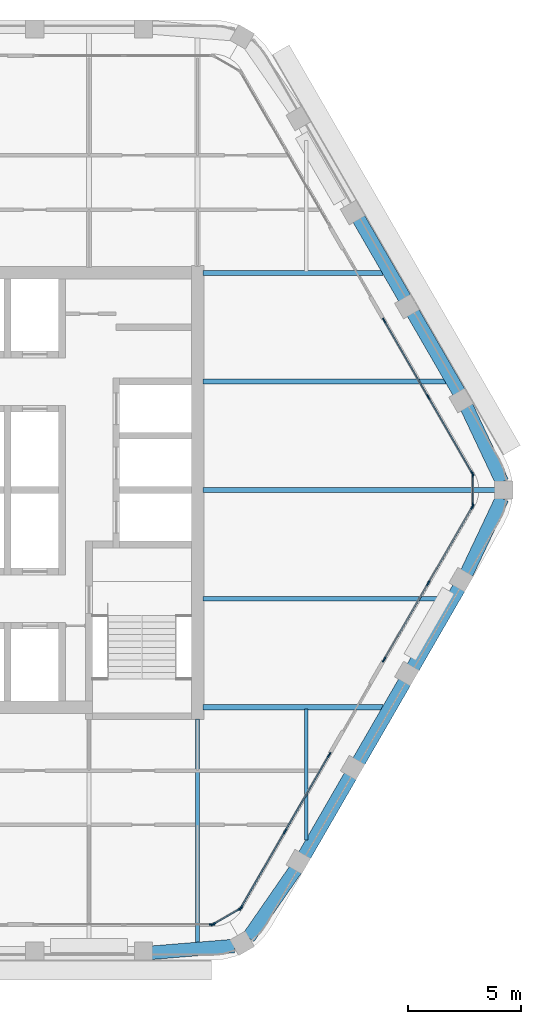
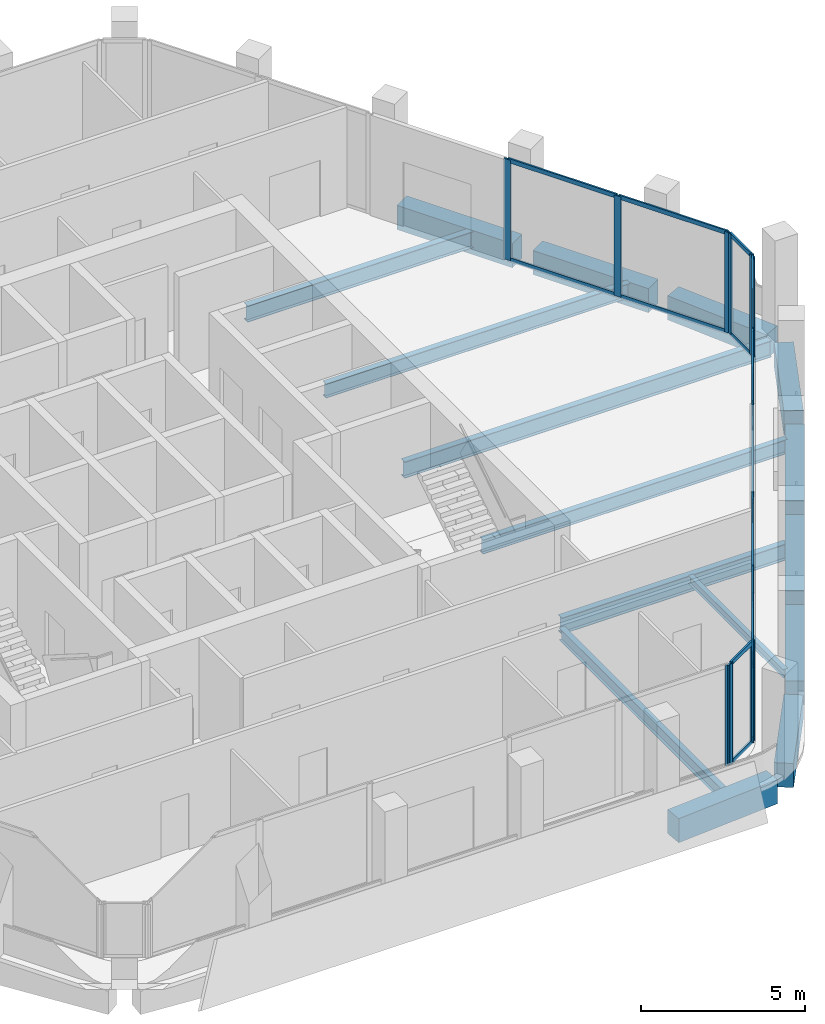
# One storey, part 4 of 14: 30 members, 16 beams, 6 elements without a shape of their own.
"""IFC4 building model written with IfcOpenShell, lengths in metres."""

from ifc_helpers import new_model, si_unit, direction, frame, origin, origin_2d, place, context, subcontext, project, spatial, rectangle, i_section, extrude, material, material_profile, profile_set, type_object, element, aggregate, save


model = new_model("IFC4")

# Units and contexts
model_context = context("Model", 3, precision=1e-05, world=origin(), true_north=direction((0.0, 1.0)))
body_context = subcontext(model_context, "Body", "Model", "MODEL_VIEW")
ifc_project = project(units=[si_unit("LENGTHUNIT", "METRE"), si_unit("AREAUNIT", "SQUARE_METRE"), si_unit("VOLUMEUNIT", "CUBIC_METRE"), si_unit("PLANEANGLEUNIT", "RADIAN"), si_unit("MASSUNIT", "GRAM", prefix="KILO")], contexts=[model_context])

# Site, building, storey
site_placement = place(None, origin())
site = spatial("IfcSite", under=ifc_project, at=site_placement, CompositionType="ELEMENT")
building_placement = place(site_placement, origin())
building = spatial("IfcBuilding", under=site, at=building_placement, Name="Kolab Exchange Tower", CompositionType="ELEMENT")
storey_placement = place(building_placement, frame((0.0, 0.0, 242.300048828125)))
storey = spatial("IfcBuildingStorey", under=building, at=storey_placement, Name="L53", CompositionType="ELEMENT", Elevation=242.300048828125)

# Beams
ifc_material_1 = material(Name="Steel S355", Category="steel")
ifc_material_profile_1 = material_profile(ifc_material_1, i_section(OverallWidth=0.1650390625, OverallDepth=0.31005859375, WebThickness=0.005859375, FlangeThickness=0.009765625, at=origin_2d()), Name="W310X39")
ifc_profile_set_1 = profile_set([ifc_material_profile_1], Name="Steel S355")
beam_type_1 = type_object("IfcBeamType", Name="FLOOR BEAM W310X39", PredefinedType="BEAM", material=ifc_profile_set_1)
beam_1_placement = place(storey_placement, frame((14.39990234375, -15.4677734375, -0.304931640625), z_axis=(0.0, 1.0, 0.0), x_axis=(-1.0, 0.0, 0.0)))
element("IfcBeam", 1, at=beam_1_placement, inside=storey, type_object=beam_type_1, Name="beam/L53/fr/018", PredefinedType="BEAM", context=body_context, shape_type="SweptSolid", body=[
    extrude(i_section(OverallWidth=0.1650390625, OverallDepth=0.31005859375, WebThickness=0.005859375, FlangeThickness=0.009765625, at=origin_2d()), origin(), (0.0, 0.0, 1.0), 5.793701171875),
])
ifc_material_profile_2 = material_profile(ifc_material_1, i_section(OverallWidth=0.18994140625, OverallDepth=0.45703125, WebThickness=0.009033203125, FlangeThickness=0.014404296875, at=origin_2d()), Name="W460X74")
ifc_profile_set_2 = profile_set([ifc_material_profile_2], Name="Steel S355")
beam_type_2 = type_object("IfcBeamType", Name="FLOOR BEAM W460X74", PredefinedType="BEAM", material=ifc_profile_set_2)
beam_2_placement = place(storey_placement, frame((9.60009765625, -20.027099609375, -0.378662109375), z_axis=(0.0, 1.0, 0.0), x_axis=(-1.0, 0.0, 0.0)))
element("IfcBeam", 2, at=beam_2_placement, inside=storey, type_object=beam_type_2, Name="beam/L53/fr/013", PredefinedType="BEAM", context=body_context, shape_type="SweptSolid", body=[
    extrude(i_section(OverallWidth=0.18994140625, OverallDepth=0.45703125, WebThickness=0.009033203125, FlangeThickness=0.014404296875, at=origin_2d()), origin(), (0.0, 0.0, 1.0), 9.9169921875),
])
ifc_material_profile_3 = material_profile(ifc_material_1, i_section(OverallWidth=0.208984375, OverallDepth=0.532958984375, WebThickness=0.01025390625, FlangeThickness=0.015625, at=origin_2d()), Name="W530X92")
ifc_profile_set_3 = profile_set([ifc_material_profile_3], Name="Steel S355")
beam_type_3 = type_object("IfcBeamType", Name="FLOOR BEAM W530X92", PredefinedType="BEAM", material=ifc_profile_set_3)
for number, where, z_axis, x_axis, name in (
    (3, (9.8349609375, -4.800048828125, -0.41650390625), (1.0, 0.0, 0.0), (0.0, 1.0, 0.0), "beam/L53/fr/015"),
    (4, (9.8349609375, 4.800048828125, -0.41650390625), (1.0, 0.0, 0.0), (0.0, 1.0, 0.0), "beam/L53/fr/017"),
):
    element("IfcBeam", number, at=place(storey_placement, frame(where, z_axis=z_axis, x_axis=x_axis)), inside=storey, type_object=beam_type_3, Name=name, PredefinedType="BEAM", context=body_context, shape_type="SweptSolid", body=[
        extrude(i_section(OverallWidth=0.208984375, OverallDepth=0.532958984375, WebThickness=0.01025390625, FlangeThickness=0.015625, at=origin_2d()), origin(), (0.0, 0.0, 1.0), 10.740966796875),
    ])
ifc_material_profile_4 = material_profile(ifc_material_1, i_section(OverallWidth=0.22802734375, OverallDepth=0.60791015625, WebThickness=0.01123046875, FlangeThickness=0.017333984375, at=origin_2d()), Name="W610X113")
ifc_profile_set_4 = profile_set([ifc_material_profile_4], Name="Steel S355")
beam_type_4 = type_object("IfcBeamType", Name="FLOOR BEAM W610X113", PredefinedType="BEAM", material=ifc_profile_set_4)
beam_3_placement = place(storey_placement, frame((9.8349609375, 0.0, -0.4541015625), z_axis=(1.0, 0.0, 0.0), x_axis=(0.0, 1.0, 0.0)))
element("IfcBeam", 5, at=beam_3_placement, inside=storey, type_object=beam_type_4, Name="beam/L53/fr/016", PredefinedType="BEAM", context=body_context, shape_type="SweptSolid", body=[
    extrude(i_section(OverallWidth=0.22802734375, OverallDepth=0.60791015625, WebThickness=0.01123046875, FlangeThickness=0.017333984375, at=origin_2d()), origin(), (0.0, 0.0, 1.0), 12.94091796875),
])
ifc_material_profile_5 = material_profile(ifc_material_1, i_section(OverallWidth=0.22802734375, OverallDepth=0.60791015625, WebThickness=0.01123046875, FlangeThickness=0.017333984375, at=origin_2d()), Name="W610X113")
ifc_profile_set_5 = profile_set([ifc_material_profile_5], Name="Steel S355")
beam_type_5 = type_object("IfcBeamType", Name="FLOOR GIRDER W610X113", PredefinedType="BEAM", material=ifc_profile_set_5)
for number, where, z_axis, x_axis, name in (
    (6, (9.8349609375, -9.60009765625, -0.4541015625), (1.0, 0.0, 0.0), (0.0, 1.0, 0.0), "beam/L53/gd/002"),
    (7, (9.8349609375, 9.60009765625, -0.4541015625), (1.0, 0.0, 0.0), (0.0, 1.0, 0.0), "beam/L53/gd/003"),
):
    element("IfcBeam", number, at=place(storey_placement, frame(where, z_axis=z_axis, x_axis=x_axis)), inside=storey, type_object=beam_type_5, Name=name, PredefinedType="BEAM", context=body_context, shape_type="SweptSolid", body=[
        extrude(i_section(OverallWidth=0.22802734375, OverallDepth=0.60791015625, WebThickness=0.01123046875, FlangeThickness=0.017333984375, at=origin_2d()), origin(), (0.0, 0.0, 1.0), 7.9697265625),
    ])
ifc_material_2 = material(Name="Concrete C50/60", Category="concrete")
ifc_material_profile_6 = material_profile(ifc_material_2, rectangle(XDim=0.60009765625, YDim=0.89990234375, at=origin_2d()), Name="RC600X900")
ifc_profile_set_6 = profile_set([ifc_material_profile_6], Name="Concrete C50/60")
beam_type_6 = type_object("IfcBeamType", Name="SPANDREL BEAM 600X900 C50/60", PredefinedType="BEAM", material=ifc_profile_set_6)
for number, where, z_axis, x_axis, name in (
    (8, (16.72021484375, 12.009033203125, -0.60009765625), (0.500000428765, -0.866025156237, 0.0), (0.866025156237, 0.500000428765, 0.0), "beam/L53/sp/F2-03"),
    (9, (19.1201171875, 7.85205078125, -0.60009765625), (0.500000428765, -0.866025156237, 0.0), (0.866025156237, 0.500000428765, 0.0), "beam/L53/sp/F2-04"),
):
    element("IfcBeam", number, at=place(storey_placement, frame(where, z_axis=z_axis, x_axis=x_axis)), inside=storey, type_object=beam_type_6, Name=name, PredefinedType="BEAM", context=body_context, shape_type="SweptSolid", body=[
        extrude(rectangle(XDim=0.60009765625, YDim=0.89990234375, at=origin_2d()), origin(), (0.0, 0.0, 1.0), 4.080078125),
    ])
for number, where, z_axis, x_axis, name in (
    (10, (21.49462890625, 3.68017578125, -0.60009765625), (0.427677251998, -0.903931506323, 0.0), (0.903931506323, 0.427677251998, 0.0), "beam/L53/sp/F2-05"),
    (11, (23.063720703125, -0.36376953125, -0.60009765625), (-0.427677251998, -0.903931506323, 0.0), (0.903931506323, -0.427677251998, 0.0), "beam/L53/sp/F3-01"),
):
    element("IfcBeam", number, at=place(storey_placement, frame(where, z_axis=z_axis, x_axis=x_axis)), inside=storey, type_object=beam_type_6, Name=name, PredefinedType="BEAM", context=body_context, shape_type="SweptSolid", body=[
        extrude(rectangle(XDim=0.60009765625, YDim=0.89990234375, at=origin_2d()), origin(), (0.0, 0.0, 1.0), 3.6689453125),
    ])
for number, where, z_axis, x_axis, name in (
    (12, (21.16015625, -4.318603515625, -0.60009765625), (-0.500000428765, -0.866025156237, 0.0), (0.866025156237, -0.500000428765, 0.0), "beam/L53/sp/F3-02"),
    (13, (18.76025390625, -8.4755859375, -0.60009765625), (-0.500000428765, -0.866025156237, 0.0), (0.866025156237, -0.500000428765, 0.0), "beam/L53/sp/F3-03"),
):
    element("IfcBeam", number, at=place(storey_placement, frame(where, z_axis=z_axis, x_axis=x_axis)), inside=storey, type_object=beam_type_6, Name=name, PredefinedType="BEAM", context=body_context, shape_type="SweptSolid", body=[
        extrude(rectangle(XDim=0.60009765625, YDim=0.89990234375, at=origin_2d()), origin(), (0.0, 0.0, 1.0), 4.080078125),
    ])
beam_4_placement = place(storey_placement, frame((16.360107421875, -12.632568359375, -0.60009765625), z_axis=(-0.499955548806, -0.866051066172, 0.0), x_axis=(0.866051066172, -0.499955548806, 0.0)))
element("IfcBeam", 14, at=beam_4_placement, inside=storey, type_object=beam_type_6, Name="beam/L53/sp/F3-04", PredefinedType="BEAM", context=body_context, shape_type="SweptSolid", body=[
    extrude(rectangle(XDim=0.60009765625, YDim=0.89990234375, at=origin_2d()), origin(), (0.0, 0.0, 1.0), 4.079833984375),
])
for number, where, z_axis, x_axis, name in (
    (15, (13.9345703125, -16.77490234375, -0.60009765625), (-0.569005808573, -0.822333502789, 0.0), (0.822333502789, -0.569005808573, 0.0), "beam/L53/sp/F3-05"),
    (16, (11.216796875, -20.15576171875, -0.60009765625), (-0.996666751878, -0.081580547323, 0.0), (0.081580547323, -0.996666751878, 0.0), "beam/L53/sp/F4-01"),
):
    element("IfcBeam", number, at=place(storey_placement, frame(where, z_axis=z_axis, x_axis=x_axis)), inside=storey, type_object=beam_type_6, Name=name, PredefinedType="BEAM", context=body_context, shape_type="SweptSolid", body=[
        extrude(rectangle(XDim=0.60009765625, YDim=0.89990234375, at=origin_2d()), origin(), (0.0, 0.0, 1.0), 3.6689453125),
    ])

# Curtain wall, members
ifc_material_3 = material(Name="Aluminium EN AW-6063 T6", Category="aluminium")
curtain_wall_type = type_object("IfcCurtainWallType", Name="UNITISED HIGH ZONE CURTAIN WALL", PredefinedType="NOTDEFINED", material=ifc_material_3)
curtain_wall_1_placement = place(storey_placement, origin())
curtain_wall_1 = element("IfcCurtainWall", 17, at=curtain_wall_1_placement, inside=storey, type_object=curtain_wall_type, Name="cw/L53/F2-2", PredefinedType="NOTDEFINED")
ifc_material_profile_7 = material_profile(ifc_material_3, rectangle(XDim=0.06005859375, YDim=0.239990234375, at=origin_2d()), Name="RECT 60X240")
ifc_profile_set_7 = profile_set([ifc_material_profile_7], Name="Aluminium EN AW-6063 T6")
member_type_1 = type_object("IfcMemberType", Name="UNITISED HIGH ZONE MULLION 60 X 240", PredefinedType="MULLION", material=ifc_profile_set_7)
member_1_placement = place(storey_placement, frame((17.8466796875, 7.497802734375, 0.0), z_axis=(0.0, 0.0, 1.0), x_axis=(0.866025440524, 0.499999936366, 0.0)))
member_1 = element("IfcMember", 18, at=member_1_placement, type_object=member_type_1, Name="CW4 mullion 1", PredefinedType="MULLION", context=body_context, shape_type="SweptSolid", body=[
    extrude(rectangle(XDim=0.06005859375, YDim=0.239990234375, at=origin_2d()), origin(), (0.0, 0.0, 1.0), 3.75),
])
member_2_placement = place(storey_placement, frame((19.798583984375, 4.116943359375, 0.0), z_axis=(0.0, 0.0, 1.0), x_axis=(0.866025440524, 0.499999936366, 0.0)))
member_2 = element("IfcMember", 19, at=member_2_placement, type_object=member_type_1, Name="CW4 mullion 2", PredefinedType="MULLION", context=body_context, shape_type="SweptSolid", body=[
    extrude(rectangle(XDim=0.06005859375, YDim=0.239990234375, at=origin_2d()), origin(), (0.0, 0.0, 1.0), 3.75),
])
member_3_placement = place(storey_placement, frame((21.750732421875, 0.736083984375, 0.0), z_axis=(0.0, 0.0, 1.0), x_axis=(0.866025440524, 0.499999936366, 0.0)))
member_3 = element("IfcMember", 20, at=member_3_placement, type_object=member_type_1, Name="CW4 mullion 3", PredefinedType="MULLION", context=body_context, shape_type="SweptSolid", body=[
    extrude(rectangle(XDim=0.06005859375, YDim=0.239990234375, at=origin_2d()), origin(), (0.0, 0.0, 1.0), 3.75),
])

curtain_wall_2_placement = place(storey_placement, origin())
curtain_wall_2 = element("IfcCurtainWall", 21, at=curtain_wall_2_placement, inside=storey, type_object=curtain_wall_type, Name="cw/L53/F3-1", PredefinedType="NOTDEFINED")
member_4_placement = place(storey_placement, frame((21.750732421875, -0.736083984375, 0.0), z_axis=(0.0, 0.0, 1.0), x_axis=(0.866025440524, -0.499999936366, 0.0)))
member_4 = element("IfcMember", 22, at=member_4_placement, type_object=member_type_1, Name="CW4 mullion 1", PredefinedType="MULLION", context=body_context, shape_type="SweptSolid", body=[
    extrude(rectangle(XDim=0.06005859375, YDim=0.239990234375, at=origin_2d()), origin(), (0.0, 0.0, 1.0), 3.75),
])
member_5_placement = place(storey_placement, frame((19.798583984375, -4.116943359375, 0.0), z_axis=(0.0, 0.0, 1.0), x_axis=(0.866025440524, -0.499999936366, 0.0)))
member_5 = element("IfcMember", 23, at=member_5_placement, type_object=member_type_1, Name="CW4 mullion 2", PredefinedType="MULLION", context=body_context, shape_type="SweptSolid", body=[
    extrude(rectangle(XDim=0.06005859375, YDim=0.239990234375, at=origin_2d()), origin(), (0.0, 0.0, 1.0), 3.75),
])
member_6_placement = place(storey_placement, frame((17.8466796875, -7.497802734375, 0.0), z_axis=(0.0, 0.0, 1.0), x_axis=(0.866025440524, -0.499999936366, 0.0)))
member_6 = element("IfcMember", 24, at=member_6_placement, type_object=member_type_1, Name="CW4 mullion 3", PredefinedType="MULLION", context=body_context, shape_type="SweptSolid", body=[
    extrude(rectangle(XDim=0.06005859375, YDim=0.239990234375, at=origin_2d()), origin(), (0.0, 0.0, 1.0), 3.75),
])

curtain_wall_3_placement = place(storey_placement, origin())
curtain_wall_3 = element("IfcCurtainWall", 25, at=curtain_wall_3_placement, inside=storey, type_object=curtain_wall_type, Name="cw/L53/F3-2", PredefinedType="NOTDEFINED")
member_7_placement = place(storey_placement, frame((15.416748046875, -11.706787109375, 0.0), z_axis=(0.0, 0.0, 1.0), x_axis=(0.866025385493, -0.500000031681, 0.0)))
member_7 = element("IfcMember", 26, at=member_7_placement, type_object=member_type_1, Name="CW4 mullion 1", PredefinedType="MULLION", context=body_context, shape_type="SweptSolid", body=[
    extrude(rectangle(XDim=0.06005859375, YDim=0.239990234375, at=origin_2d()), origin(), (0.0, 0.0, 1.0), 3.75),
])
member_8_placement = place(storey_placement, frame((13.464599609375, -15.087646484375, 0.0), z_axis=(0.0, 0.0, 1.0), x_axis=(0.866025385493, -0.500000031681, 0.0)))
member_8 = element("IfcMember", 27, at=member_8_placement, type_object=member_type_1, Name="CW4 mullion 2", PredefinedType="MULLION", context=body_context, shape_type="SweptSolid", body=[
    extrude(rectangle(XDim=0.06005859375, YDim=0.239990234375, at=origin_2d()), origin(), (0.0, 0.0, 1.0), 3.75),
])
member_9_placement = place(storey_placement, frame((11.5126953125, -18.46875, 0.0), z_axis=(0.0, 0.0, 1.0), x_axis=(0.866025385493, -0.500000031681, 0.0)))
member_9 = element("IfcMember", 28, at=member_9_placement, type_object=member_type_1, Name="CW4 mullion 3", PredefinedType="MULLION", context=body_context, shape_type="SweptSolid", body=[
    extrude(rectangle(XDim=0.06005859375, YDim=0.239990234375, at=origin_2d()), origin(), (0.0, 0.0, 1.0), 3.75),
])

# Curtain wall, member
curtain_wall_4_placement = place(storey_placement, origin())
curtain_wall_4 = element("IfcCurtainWall", 29, at=curtain_wall_4_placement, inside=storey, type_object=curtain_wall_type, Name="cw/L53/F4-1", PredefinedType="NOTDEFINED")
member_10_placement = place(storey_placement, frame((10.238037109375, -19.20458984375, 0.0), z_axis=(0.0, 0.0, 1.0), x_axis=(0.0, -1.0, 0.0)))
member_10 = element("IfcMember", 30, at=member_10_placement, type_object=member_type_1, Name="CW4 mullion 1", PredefinedType="MULLION", context=body_context, shape_type="SweptSolid", body=[
    extrude(rectangle(XDim=0.06005859375, YDim=0.239990234375, at=origin_2d()), origin(), (0.0, 0.0, 1.0), 3.75),
])
aggregate(curtain_wall_4, [member_10])

# Curtain wall, members
curtain_wall_5_placement = place(storey_placement, origin())
curtain_wall_5 = element("IfcCurtainWall", 31, at=curtain_wall_5_placement, inside=storey, type_object=curtain_wall_type, Name="cw/L53/F2F3-corner", PredefinedType="NOTDEFINED")
member_11_placement = place(storey_placement, frame((21.765625, 0.679931640625, 0.0), z_axis=(0.0, 0.0, 1.0), x_axis=(1.0, 0.0, 0.0)))
member_11 = element("IfcMember", 32, at=member_11_placement, type_object=member_type_1, Name="CW4 mullion 1", PredefinedType="MULLION", context=body_context, shape_type="SweptSolid", body=[
    extrude(rectangle(XDim=0.06005859375, YDim=0.239990234375, at=origin_2d()), origin(), (0.0, 0.0, 1.0), 3.75),
])
member_12_placement = place(storey_placement, frame((21.765625, -0.679931640625, 0.0), z_axis=(0.0, 0.0, 1.0), x_axis=(1.0, 0.0, 0.0)))
member_12 = element("IfcMember", 33, at=member_12_placement, type_object=member_type_1, Name="CW4 mullion 2", PredefinedType="MULLION", context=body_context, shape_type="SweptSolid", body=[
    extrude(rectangle(XDim=0.06005859375, YDim=0.239990234375, at=origin_2d()), origin(), (0.0, 0.0, 1.0), 3.75),
])

curtain_wall_6_placement = place(storey_placement, origin())
curtain_wall_6 = element("IfcCurtainWall", 34, at=curtain_wall_6_placement, inside=storey, type_object=curtain_wall_type, Name="cw/L53/F3F4-corner", PredefinedType="NOTDEFINED")
member_13_placement = place(storey_placement, frame((11.4716796875, -18.509521484375, 0.0), z_axis=(0.0, 0.0, 1.0), x_axis=(0.50000002237, -0.866025390869, 0.0)))
member_13 = element("IfcMember", 35, at=member_13_placement, type_object=member_type_1, Name="CW4 mullion 1", PredefinedType="MULLION", context=body_context, shape_type="SweptSolid", body=[
    extrude(rectangle(XDim=0.06005859375, YDim=0.239990234375, at=origin_2d()), origin(), (0.0, 0.0, 1.0), 3.75),
])
member_14_placement = place(storey_placement, frame((10.2939453125, -19.189697265625, 0.0), z_axis=(0.0, 0.0, 1.0), x_axis=(0.50000002237, -0.866025390869, 0.0)))
member_14 = element("IfcMember", 36, at=member_14_placement, type_object=member_type_1, Name="CW4 mullion 2", PredefinedType="MULLION", context=body_context, shape_type="SweptSolid", body=[
    extrude(rectangle(XDim=0.06005859375, YDim=0.239990234375, at=origin_2d()), origin(), (0.0, 0.0, 1.0), 3.75),
])

# Member
ifc_material_profile_8 = material_profile(ifc_material_3, rectangle(XDim=0.06005859375, YDim=0.159912109375, at=origin_2d()), Name="RECT 60X160")
ifc_profile_set_8 = profile_set([ifc_material_profile_8], Name="Aluminium EN AW-6063 T6")
member_type_2 = type_object("IfcMemberType", Name="UNITISED HIGH ZONE TRANSOM 60 X 160", PredefinedType="USERDEFINED", material=ifc_profile_set_8)
member_15_placement = place(storey_placement, frame((17.861572265625, 7.471923828125, 0.030029296875), z_axis=(0.500011990396, -0.866018481016, 0.0), x_axis=(0.866018481016, 0.500011990396, 0.0)))
member_15 = element("IfcMember", 37, at=member_15_placement, type_object=member_type_2, Name="CW4 transom 1.1", ObjectType="TRANSOM", PredefinedType="USERDEFINED", context=body_context, shape_type="SweptSolid", body=[
    extrude(rectangle(XDim=0.06005859375, YDim=0.159912109375, at=origin_2d()), origin(), (0.0, 0.0, 1.0), 3.84423828125),
])

member_16_placement = place(storey_placement, frame((17.861572265625, 7.471923828125, 3.719970703125), z_axis=(0.500011990396, -0.866018481016, 0.0), x_axis=(0.866018481016, 0.500011990396, 0.0)))
member_16 = element("IfcMember", 38, at=member_16_placement, type_object=member_type_2, Name="CW4 transom 1.2", ObjectType="TRANSOM", PredefinedType="USERDEFINED", context=body_context, shape_type="SweptSolid", body=[
    extrude(rectangle(XDim=0.06005859375, YDim=0.159912109375, at=origin_2d()), origin(), (0.0, 0.0, 1.0), 3.84423828125),
])

member_17_placement = place(storey_placement, frame((19.813720703125, 4.0908203125, 0.030029296875), z_axis=(0.499991857942, -0.866030104553, 0.0), x_axis=(0.866030104553, 0.499991857942, 0.0)))
member_17 = element("IfcMember", 39, at=member_17_placement, type_object=member_type_2, Name="CW4 transom 2.1", ObjectType="TRANSOM", PredefinedType="USERDEFINED", context=body_context, shape_type="SweptSolid", body=[
    extrude(rectangle(XDim=0.06005859375, YDim=0.159912109375, at=origin_2d()), origin(), (0.0, 0.0, 1.0), 3.84375),
])

member_18_placement = place(storey_placement, frame((19.813720703125, 4.0908203125, 3.719970703125), z_axis=(0.499991857942, -0.866030104553, 0.0), x_axis=(0.866030104553, 0.499991857942, 0.0)))
member_18 = element("IfcMember", 40, at=member_18_placement, type_object=member_type_2, Name="CW4 transom 2.2", ObjectType="TRANSOM", PredefinedType="USERDEFINED", context=body_context, shape_type="SweptSolid", body=[
    extrude(rectangle(XDim=0.06005859375, YDim=0.159912109375, at=origin_2d()), origin(), (0.0, 0.0, 1.0), 3.84375),
])

aggregate(curtain_wall_1, [member_1, member_2, member_3, member_15, member_16, member_17, member_18])

member_19_placement = place(storey_placement, frame((21.735595703125, -0.761962890625, 0.030029296875), z_axis=(-0.499991857942, -0.866030104553, 0.0), x_axis=(0.866030104553, -0.499991857942, 0.0)))
member_19 = element("IfcMember", 41, at=member_19_placement, type_object=member_type_2, Name="CW4 transom 1.1", ObjectType="TRANSOM", PredefinedType="USERDEFINED", context=body_context, shape_type="SweptSolid", body=[
    extrude(rectangle(XDim=0.06005859375, YDim=0.159912109375, at=origin_2d()), origin(), (0.0, 0.0, 1.0), 3.84375),
])

member_20_placement = place(storey_placement, frame((21.735595703125, -0.761962890625, 3.719970703125), z_axis=(-0.499991857942, -0.866030104553, 0.0), x_axis=(0.866030104553, -0.499991857942, 0.0)))
member_20 = element("IfcMember", 42, at=member_20_placement, type_object=member_type_2, Name="CW4 transom 1.2", ObjectType="TRANSOM", PredefinedType="USERDEFINED", context=body_context, shape_type="SweptSolid", body=[
    extrude(rectangle(XDim=0.06005859375, YDim=0.159912109375, at=origin_2d()), origin(), (0.0, 0.0, 1.0), 3.84375),
])

member_21_placement = place(storey_placement, frame((19.78369140625, -4.142822265625, 0.030029296875), z_axis=(-0.500011990396, -0.866018481016, 0.0), x_axis=(0.866018481016, -0.500011990396, 0.0)))
member_21 = element("IfcMember", 43, at=member_21_placement, type_object=member_type_2, Name="CW4 transom 2.1", ObjectType="TRANSOM", PredefinedType="USERDEFINED", context=body_context, shape_type="SweptSolid", body=[
    extrude(rectangle(XDim=0.06005859375, YDim=0.159912109375, at=origin_2d()), origin(), (0.0, 0.0, 1.0), 3.84423828125),
])

member_22_placement = place(storey_placement, frame((19.78369140625, -4.142822265625, 3.719970703125), z_axis=(-0.500011990396, -0.866018481016, 0.0), x_axis=(0.866018481016, -0.500011990396, 0.0)))
member_22 = element("IfcMember", 44, at=member_22_placement, type_object=member_type_2, Name="CW4 transom 2.2", ObjectType="TRANSOM", PredefinedType="USERDEFINED", context=body_context, shape_type="SweptSolid", body=[
    extrude(rectangle(XDim=0.06005859375, YDim=0.159912109375, at=origin_2d()), origin(), (0.0, 0.0, 1.0), 3.84423828125),
])

aggregate(curtain_wall_2, [member_4, member_5, member_6, member_19, member_20, member_21, member_22])

member_23_placement = place(storey_placement, frame((15.401611328125, -11.732666015625, 0.030029296875), z_axis=(-0.499964356602, -0.866045981532, 0.0), x_axis=(0.866045981532, -0.499964356602, 0.0)))
member_23 = element("IfcMember", 45, at=member_23_placement, type_object=member_type_2, Name="CW4 transom 1.1", ObjectType="TRANSOM", PredefinedType="USERDEFINED", context=body_context, shape_type="SweptSolid", body=[
    extrude(rectangle(XDim=0.06005859375, YDim=0.159912109375, at=origin_2d()), origin(), (0.0, 0.0, 1.0), 3.843994140625),
])

member_24_placement = place(storey_placement, frame((15.401611328125, -11.732666015625, 3.719970703125), z_axis=(-0.499964356602, -0.866045981532, 0.0), x_axis=(0.866045981532, -0.499964356602, 0.0)))
member_24 = element("IfcMember", 46, at=member_24_placement, type_object=member_type_2, Name="CW4 transom 1.2", ObjectType="TRANSOM", PredefinedType="USERDEFINED", context=body_context, shape_type="SweptSolid", body=[
    extrude(rectangle(XDim=0.06005859375, YDim=0.159912109375, at=origin_2d()), origin(), (0.0, 0.0, 1.0), 3.843994140625),
])

member_25_placement = place(storey_placement, frame((13.44970703125, -15.11376953125, 0.030029296875), z_axis=(-0.500039492609, -0.866002601515, 0.0), x_axis=(0.866002601515, -0.500039492609, 0.0)))
member_25 = element("IfcMember", 47, at=member_25_placement, type_object=member_type_2, Name="CW4 transom 2.1", ObjectType="TRANSOM", PredefinedType="USERDEFINED", context=body_context, shape_type="SweptSolid", body=[
    extrude(rectangle(XDim=0.06005859375, YDim=0.159912109375, at=origin_2d()), origin(), (0.0, 0.0, 1.0), 3.843994140625),
])

member_26_placement = place(storey_placement, frame((13.44970703125, -15.11376953125, 3.719970703125), z_axis=(-0.500039492609, -0.866002601515, 0.0), x_axis=(0.866002601515, -0.500039492609, 0.0)))
member_26 = element("IfcMember", 48, at=member_26_placement, type_object=member_type_2, Name="CW4 transom 2.2", ObjectType="TRANSOM", PredefinedType="USERDEFINED", context=body_context, shape_type="SweptSolid", body=[
    extrude(rectangle(XDim=0.06005859375, YDim=0.159912109375, at=origin_2d()), origin(), (0.0, 0.0, 1.0), 3.843994140625),
])

aggregate(curtain_wall_3, [member_7, member_8, member_9, member_23, member_24, member_25, member_26])

member_27_placement = place(storey_placement, frame((21.765625, 0.64990234375, 0.030029296875), z_axis=(0.0, -1.0, 0.0), x_axis=(1.0, 0.0, 0.0)))
member_27 = element("IfcMember", 49, at=member_27_placement, type_object=member_type_2, Name="CW4 transom 1.1", ObjectType="TRANSOM", PredefinedType="USERDEFINED", context=body_context, shape_type="SweptSolid", body=[
    extrude(rectangle(XDim=0.06005859375, YDim=0.159912109375, at=origin_2d()), origin(), (0.0, 0.0, 1.0), 1.2998046875),
])

member_28_placement = place(storey_placement, frame((21.765625, 0.64990234375, 3.719970703125), z_axis=(0.0, -1.0, 0.0), x_axis=(1.0, 0.0, 0.0)))
member_28 = element("IfcMember", 50, at=member_28_placement, type_object=member_type_2, Name="CW4 transom 1.2", ObjectType="TRANSOM", PredefinedType="USERDEFINED", context=body_context, shape_type="SweptSolid", body=[
    extrude(rectangle(XDim=0.06005859375, YDim=0.159912109375, at=origin_2d()), origin(), (0.0, 0.0, 1.0), 1.2998046875),
])

aggregate(curtain_wall_5, [member_11, member_12, member_27, member_28])

member_29_placement = place(storey_placement, frame((11.44580078125, -18.524658203125, 0.030029296875), z_axis=(-0.866085525409, -0.49989585183, 0.0), x_axis=(0.49989585183, -0.866085525409, 0.0)))
member_29 = element("IfcMember", 51, at=member_29_placement, type_object=member_type_2, Name="CW4 transom 1.1", ObjectType="TRANSOM", PredefinedType="USERDEFINED", context=body_context, shape_type="SweptSolid", body=[
    extrude(rectangle(XDim=0.06005859375, YDim=0.159912109375, at=origin_2d()), origin(), (0.0, 0.0, 1.0), 1.300048828125),
])

member_30_placement = place(storey_placement, frame((11.44580078125, -18.524658203125, 3.719970703125), z_axis=(-0.866085525409, -0.49989585183, 0.0), x_axis=(0.49989585183, -0.866085525409, 0.0)))
member_30 = element("IfcMember", 52, at=member_30_placement, type_object=member_type_2, Name="CW4 transom 1.2", ObjectType="TRANSOM", PredefinedType="USERDEFINED", context=body_context, shape_type="SweptSolid", body=[
    extrude(rectangle(XDim=0.06005859375, YDim=0.159912109375, at=origin_2d()), origin(), (0.0, 0.0, 1.0), 1.300048828125),
])

aggregate(curtain_wall_6, [member_13, member_14, member_29, member_30])

save(model, "model.ifc")
